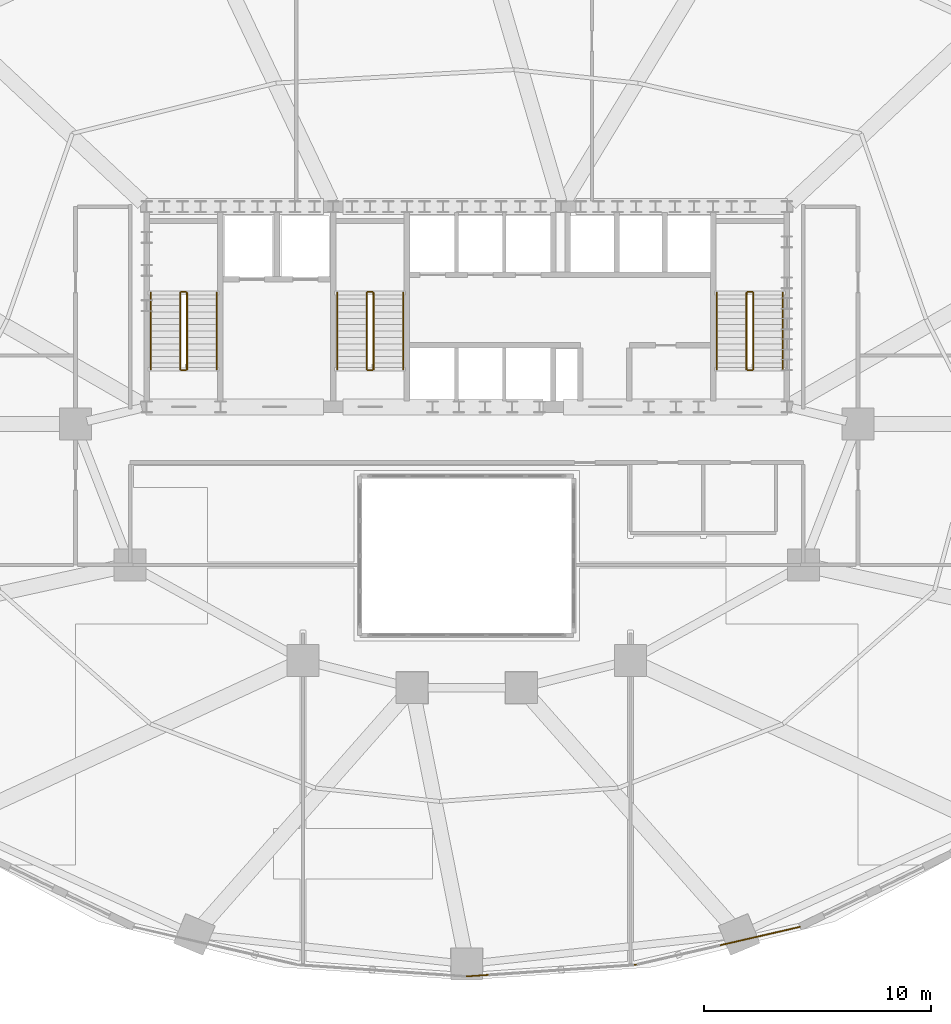
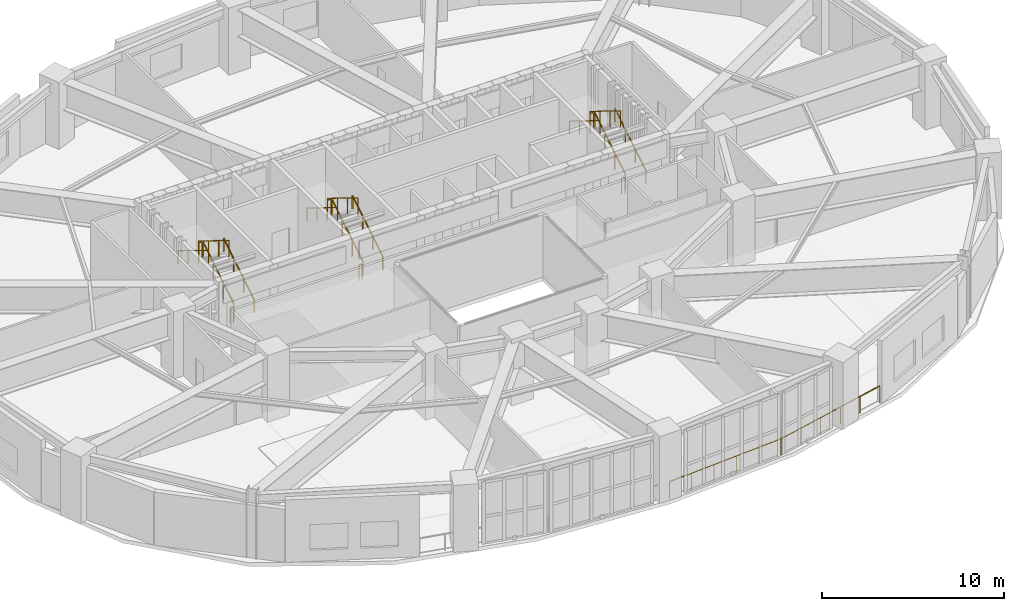
# One storey, part 13 of 13: 20 railings.
"""IFC4 building model written with IfcOpenShell, lengths in metres."""

from ifc_helpers import new_model, si_unit, direction, frame, origin, origin_2d, place, context, subcontext, project, spatial, rectangle, extrude, material, type_object, element, save


model = new_model("IFC4")

# Units and contexts
model_context = context("Model", 3, precision=1e-05, world=origin(), true_north=direction((0.0, 1.0)))
body_context = subcontext(model_context, "Body", "Model", "MODEL_VIEW")
ifc_project = project(units=[si_unit("LENGTHUNIT", "METRE"), si_unit("AREAUNIT", "SQUARE_METRE"), si_unit("VOLUMEUNIT", "CUBIC_METRE"), si_unit("PLANEANGLEUNIT", "RADIAN"), si_unit("MASSUNIT", "GRAM", prefix="KILO")], contexts=[model_context])

# Site, building, storey
site_placement = place(None, origin())
site = spatial("IfcSite", under=ifc_project, at=site_placement, CompositionType="ELEMENT")
building_placement = place(site_placement, origin())
building = spatial("IfcBuilding", under=site, at=building_placement, Name="Haldorwick Loom Tower", CompositionType="ELEMENT")
storey_placement = place(building_placement, frame((0.0, 0.0, 72.300048828125)))
storey = spatial("IfcBuildingStorey", under=building, at=storey_placement, Name="L19", CompositionType="ELEMENT", Elevation=72.300048828125)

# Railings
ifc_material_1 = material(Name="Galvanized Steel CSA G40.21 350W", Category="steel")
railing_type_1 = type_object("IfcRailingType", Name="ARC-RLG-BAL115", PredefinedType="BALUSTRADE", material=ifc_material_1)
railing_1_placement = place(storey_placement, frame((36.0, 1.7099609375, 0.0)))
element("IfcRailing", 1, at=railing_1_placement, inside=storey, type_object=railing_type_1, Name="L19 Curtain-Wall Sill Safety Guardrail 19", PredefinedType="BALUSTRADE", context=body_context, shape_type="SweptSolid", body=[
    extrude(rectangle(XDim=0.048095703125, YDim=0.048095703125, at=origin_2d()), frame((0.0, 0.0, 1.1259765625), z_axis=(0.997645161917, 0.068586667092, 0.0), x_axis=(-0.068586667092, 0.997645161917, 0.0)), (0.0, 0.0, 1.0), 7.428955078125),
    extrude(rectangle(XDim=0.0419921875, YDim=0.0419921875, at=origin_2d()), origin(), (0.0, 0.0, 1.0), 1.101806640625),
    extrude(rectangle(XDim=0.0419921875, YDim=0.0419921875, at=origin_2d()), frame((1.482177734375, 0.101806640625, 0.0)), (0.0, 0.0, 1.0), 1.101806640625),
    extrude(rectangle(XDim=0.0419921875, YDim=0.0419921875, at=origin_2d()), frame((2.964599609375, 0.203857421875, 0.0)), (0.0, 0.0, 1.0), 1.101806640625),
    extrude(rectangle(XDim=0.0419921875, YDim=0.0419921875, at=origin_2d()), frame((4.44677734375, 0.3056640625, 0.0)), (0.0, 0.0, 1.0), 1.101806640625),
    extrude(rectangle(XDim=0.0419921875, YDim=0.0419921875, at=origin_2d()), frame((5.92919921875, 0.40771484375, 0.0)), (0.0, 0.0, 1.0), 1.101806640625),
    extrude(rectangle(XDim=0.0419921875, YDim=0.0419921875, at=origin_2d()), frame((7.411376953125, 0.509521484375, 0.0)), (0.0, 0.0, 1.0), 1.101806640625),
])
railing_2_placement = place(storey_placement, frame((43.411376953125, 2.219482421875, 0.0)))
element("IfcRailing", 2, at=railing_2_placement, inside=storey, type_object=railing_type_1, Name="L19 Curtain-Wall Sill Safety Guardrail 20", PredefinedType="BALUSTRADE", context=body_context, shape_type="SweptSolid", body=[
    extrude(rectangle(XDim=0.048095703125, YDim=0.048095703125, at=origin_2d()), frame((0.0, 0.0, 1.1259765625), z_axis=(0.974522412345, 0.224290142088, 0.0), x_axis=(-0.224290142088, 0.974522412345, 0.0)), (0.0, 0.0, 1.0), 7.422607421875),
    extrude(rectangle(XDim=0.0419921875, YDim=0.0419921875, at=origin_2d()), origin(), (0.0, 0.0, 1.0), 1.101806640625),
    extrude(rectangle(XDim=0.0419921875, YDim=0.0419921875, at=origin_2d()), frame((1.44677734375, 0.3330078125, 0.0)), (0.0, 0.0, 1.0), 1.101806640625),
    extrude(rectangle(XDim=0.0419921875, YDim=0.0419921875, at=origin_2d()), frame((2.893310546875, 0.666015625, 0.0)), (0.0, 0.0, 1.0), 1.101806640625),
    extrude(rectangle(XDim=0.0419921875, YDim=0.0419921875, at=origin_2d()), frame((4.340087890625, 0.998779296875, 0.0)), (0.0, 0.0, 1.0), 1.101806640625),
    extrude(rectangle(XDim=0.0419921875, YDim=0.0419921875, at=origin_2d()), frame((5.78662109375, 1.331787109375, 0.0)), (0.0, 0.0, 1.0), 1.101806640625),
    extrude(rectangle(XDim=0.0419921875, YDim=0.0419921875, at=origin_2d()), frame((7.2333984375, 1.664794921875, 0.0)), (0.0, 0.0, 1.0), 1.101806640625),
])
ifc_material_2 = material(Name="Steel CSA G40.21 350W", Category="steel")
railing_type_2 = type_object("IfcRailingType", Name="ARC-RLG-GUARD112", PredefinedType="GUARDRAIL", material=ifc_material_2)
railing_3_placement = place(storey_placement, frame((23.699951171875, 28.39990234375, 0.173095703125)))
element("IfcRailing", 3, at=railing_3_placement, inside=storey, type_object=railing_type_2, Name="L19 ST-01 stair guard 1", PredefinedType="GUARDRAIL", context=body_context, shape_type="SweptSolid", body=[
    extrude(rectangle(XDim=0.048095703125, YDim=0.048095703125, at=origin_2d()), frame((0.0, 0.0, 1.076171875), z_axis=(0.0, 0.850623216509, 0.525775754039), x_axis=(-1.0, 0.0, 0.0)), (0.0, 0.0, 1.0), 3.9501953125),
    extrude(rectangle(XDim=0.0419921875, YDim=0.0419921875, at=origin_2d()), origin(), (0.0, 0.0, 1.0), 1.052001953125),
    extrude(rectangle(XDim=0.0419921875, YDim=0.0419921875, at=origin_2d()), frame((0.0, 1.1201171875, 0.6923828125)), (0.0, 0.0, 1.0), 1.052001953125),
    extrude(rectangle(XDim=0.0419921875, YDim=0.0419921875, at=origin_2d()), frame((0.0, 2.239990234375, 1.384521484375)), (0.0, 0.0, 1.0), 1.052001953125),
    extrude(rectangle(XDim=0.0419921875, YDim=0.0419921875, at=origin_2d()), frame((0.0, 3.360107421875, 2.076904296875)), (0.0, 0.0, 1.0), 1.052001953125),
])
railing_4_placement = place(storey_placement, frame((23.64990234375, 31.81005859375, 2.25)))
element("IfcRailing", 4, at=railing_4_placement, inside=storey, type_object=railing_type_2, Name="L19 ST-01 stair guard 2", PredefinedType="GUARDRAIL", context=body_context, shape_type="SweptSolid", body=[
    extrude(rectangle(XDim=0.048095703125, YDim=0.048095703125, at=origin_2d()), frame((0.0, 0.0, 1.076171875), z_axis=(-1.0, 0.0, 0.0), x_axis=(0.0, -1.0, 0.0)), (0.0, 0.0, 1.0), 0.199951171875),
    extrude(rectangle(XDim=0.0419921875, YDim=0.0419921875, at=origin_2d()), origin(), (0.0, 0.0, 1.0), 1.052001953125),
    extrude(rectangle(XDim=0.0419921875, YDim=0.0419921875, at=origin_2d()), frame((-0.199951171875, 0.0, 0.0)), (0.0, 0.0, 1.0), 1.052001953125),
])
railing_5_placement = place(storey_placement, frame((23.39990234375, 31.760009765625, 2.423095703125)))
element("IfcRailing", 5, at=railing_5_placement, inside=storey, type_object=railing_type_2, Name="L19 ST-01 stair guard 3", PredefinedType="GUARDRAIL", context=body_context, shape_type="SweptSolid", body=[
    extrude(rectangle(XDim=0.048095703125, YDim=0.048095703125, at=origin_2d()), frame((0.0, 0.0, 1.076171875), z_axis=(0.0, -0.850623216509, 0.525775754039), x_axis=(1.0, 0.0, 0.0)), (0.0, 0.0, 1.0), 3.9501953125),
    extrude(rectangle(XDim=0.0419921875, YDim=0.0419921875, at=origin_2d()), origin(), (0.0, 0.0, 1.0), 1.052001953125),
    extrude(rectangle(XDim=0.0419921875, YDim=0.0419921875, at=origin_2d()), frame((0.0, -1.1201171875, 0.6923828125)), (0.0, 0.0, 1.0), 1.052001953125),
    extrude(rectangle(XDim=0.0419921875, YDim=0.0419921875, at=origin_2d()), frame((0.0, -2.239990234375, 1.384521484375)), (0.0, 0.0, 1.0), 1.052001953125),
    extrude(rectangle(XDim=0.0419921875, YDim=0.0419921875, at=origin_2d()), frame((0.0, -3.360107421875, 2.076904296875)), (0.0, 0.0, 1.0), 1.052001953125),
])
railing_6_placement = place(storey_placement, frame((23.64990234375, 28.35009765625, 0.0)))
element("IfcRailing", 6, at=railing_6_placement, inside=storey, type_object=railing_type_2, Name="L19 ST-01 stair guard 4", PredefinedType="GUARDRAIL", context=body_context, shape_type="SweptSolid", body=[
    extrude(rectangle(XDim=0.048095703125, YDim=0.048095703125, at=origin_2d()), frame((0.0, 0.0, 1.076171875), z_axis=(-1.0, 0.0, 0.0), x_axis=(0.0, -1.0, 0.0)), (0.0, 0.0, 1.0), 0.199951171875),
    extrude(rectangle(XDim=0.0419921875, YDim=0.0419921875, at=origin_2d()), origin(), (0.0, 0.0, 1.0), 1.052001953125),
    extrude(rectangle(XDim=0.0419921875, YDim=0.0419921875, at=origin_2d()), frame((-0.199951171875, 0.0, 0.0)), (0.0, 0.0, 1.0), 1.052001953125),
])
railing_7_placement = place(storey_placement, frame((48.60009765625, 28.39990234375, 0.173095703125)))
element("IfcRailing", 7, at=railing_7_placement, inside=storey, type_object=railing_type_2, Name="L19 ST-02 stair guard 1", PredefinedType="GUARDRAIL", context=body_context, shape_type="SweptSolid", body=[
    extrude(rectangle(XDim=0.048095703125, YDim=0.048095703125, at=origin_2d()), frame((0.0, 0.0, 1.076171875), z_axis=(0.0, 0.850623216509, 0.525775754039), x_axis=(-1.0, 0.0, 0.0)), (0.0, 0.0, 1.0), 3.9501953125),
    extrude(rectangle(XDim=0.0419921875, YDim=0.0419921875, at=origin_2d()), origin(), (0.0, 0.0, 1.0), 1.052001953125),
    extrude(rectangle(XDim=0.0419921875, YDim=0.0419921875, at=origin_2d()), frame((0.0, 1.1201171875, 0.6923828125)), (0.0, 0.0, 1.0), 1.052001953125),
    extrude(rectangle(XDim=0.0419921875, YDim=0.0419921875, at=origin_2d()), frame((0.0, 2.239990234375, 1.384521484375)), (0.0, 0.0, 1.0), 1.052001953125),
    extrude(rectangle(XDim=0.0419921875, YDim=0.0419921875, at=origin_2d()), frame((0.0, 3.360107421875, 2.076904296875)), (0.0, 0.0, 1.0), 1.052001953125),
])
railing_8_placement = place(storey_placement, frame((48.550048828125, 31.81005859375, 2.25)))
element("IfcRailing", 8, at=railing_8_placement, inside=storey, type_object=railing_type_2, Name="L19 ST-02 stair guard 2", PredefinedType="GUARDRAIL", context=body_context, shape_type="SweptSolid", body=[
    extrude(rectangle(XDim=0.048095703125, YDim=0.048095703125, at=origin_2d()), frame((0.0, 0.0, 1.076171875), z_axis=(-1.0, 0.0, 0.0), x_axis=(0.0, -1.0, 0.0)), (0.0, 0.0, 1.0), 0.199951171875),
    extrude(rectangle(XDim=0.0419921875, YDim=0.0419921875, at=origin_2d()), origin(), (0.0, 0.0, 1.0), 1.052001953125),
    extrude(rectangle(XDim=0.0419921875, YDim=0.0419921875, at=origin_2d()), frame((-0.199951171875, 0.0, 0.0)), (0.0, 0.0, 1.0), 1.052001953125),
])
railing_9_placement = place(storey_placement, frame((48.300048828125, 31.760009765625, 2.423095703125)))
element("IfcRailing", 9, at=railing_9_placement, inside=storey, type_object=railing_type_2, Name="L19 ST-02 stair guard 3", PredefinedType="GUARDRAIL", context=body_context, shape_type="SweptSolid", body=[
    extrude(rectangle(XDim=0.048095703125, YDim=0.048095703125, at=origin_2d()), frame((0.0, 0.0, 1.076171875), z_axis=(0.0, -0.850623216509, 0.525775754039), x_axis=(1.0, 0.0, 0.0)), (0.0, 0.0, 1.0), 3.9501953125),
    extrude(rectangle(XDim=0.0419921875, YDim=0.0419921875, at=origin_2d()), origin(), (0.0, 0.0, 1.0), 1.052001953125),
    extrude(rectangle(XDim=0.0419921875, YDim=0.0419921875, at=origin_2d()), frame((0.0, -1.1201171875, 0.6923828125)), (0.0, 0.0, 1.0), 1.052001953125),
    extrude(rectangle(XDim=0.0419921875, YDim=0.0419921875, at=origin_2d()), frame((0.0, -2.239990234375, 1.384521484375)), (0.0, 0.0, 1.0), 1.052001953125),
    extrude(rectangle(XDim=0.0419921875, YDim=0.0419921875, at=origin_2d()), frame((0.0, -3.360107421875, 2.076904296875)), (0.0, 0.0, 1.0), 1.052001953125),
])
railing_10_placement = place(storey_placement, frame((48.550048828125, 28.35009765625, 0.0)))
element("IfcRailing", 10, at=railing_10_placement, inside=storey, type_object=railing_type_2, Name="L19 ST-02 stair guard 4", PredefinedType="GUARDRAIL", context=body_context, shape_type="SweptSolid", body=[
    extrude(rectangle(XDim=0.048095703125, YDim=0.048095703125, at=origin_2d()), frame((0.0, 0.0, 1.076171875), z_axis=(-1.0, 0.0, 0.0), x_axis=(0.0, -1.0, 0.0)), (0.0, 0.0, 1.0), 0.199951171875),
    extrude(rectangle(XDim=0.0419921875, YDim=0.0419921875, at=origin_2d()), origin(), (0.0, 0.0, 1.0), 1.052001953125),
    extrude(rectangle(XDim=0.0419921875, YDim=0.0419921875, at=origin_2d()), frame((-0.199951171875, 0.0, 0.0)), (0.0, 0.0, 1.0), 1.052001953125),
])
railing_11_placement = place(storey_placement, frame((31.89990234375, 28.39990234375, 0.173095703125)))
element("IfcRailing", 11, at=railing_11_placement, inside=storey, type_object=railing_type_2, Name="L19 ST-03 stair guard 1", PredefinedType="GUARDRAIL", context=body_context, shape_type="SweptSolid", body=[
    extrude(rectangle(XDim=0.048095703125, YDim=0.048095703125, at=origin_2d()), frame((0.0, 0.0, 1.076171875), z_axis=(0.0, 0.850623216509, 0.525775754039), x_axis=(-1.0, 0.0, 0.0)), (0.0, 0.0, 1.0), 3.9501953125),
    extrude(rectangle(XDim=0.0419921875, YDim=0.0419921875, at=origin_2d()), origin(), (0.0, 0.0, 1.0), 1.052001953125),
    extrude(rectangle(XDim=0.0419921875, YDim=0.0419921875, at=origin_2d()), frame((0.0, 1.1201171875, 0.6923828125)), (0.0, 0.0, 1.0), 1.052001953125),
    extrude(rectangle(XDim=0.0419921875, YDim=0.0419921875, at=origin_2d()), frame((0.0, 2.239990234375, 1.384521484375)), (0.0, 0.0, 1.0), 1.052001953125),
    extrude(rectangle(XDim=0.0419921875, YDim=0.0419921875, at=origin_2d()), frame((0.0, 3.360107421875, 2.076904296875)), (0.0, 0.0, 1.0), 1.052001953125),
])
railing_12_placement = place(storey_placement, frame((31.85009765625, 31.81005859375, 2.25)))
element("IfcRailing", 12, at=railing_12_placement, inside=storey, type_object=railing_type_2, Name="L19 ST-03 stair guard 2", PredefinedType="GUARDRAIL", context=body_context, shape_type="SweptSolid", body=[
    extrude(rectangle(XDim=0.048095703125, YDim=0.048095703125, at=origin_2d()), frame((0.0, 0.0, 1.076171875), z_axis=(-1.0, 0.0, 0.0), x_axis=(0.0, -1.0, 0.0)), (0.0, 0.0, 1.0), 0.2001953125),
    extrude(rectangle(XDim=0.0419921875, YDim=0.0419921875, at=origin_2d()), origin(), (0.0, 0.0, 1.0), 1.052001953125),
    extrude(rectangle(XDim=0.0419921875, YDim=0.0419921875, at=origin_2d()), frame((-0.2001953125, 0.0, 0.0)), (0.0, 0.0, 1.0), 1.052001953125),
])
railing_13_placement = place(storey_placement, frame((31.60009765625, 31.760009765625, 2.423095703125)))
element("IfcRailing", 13, at=railing_13_placement, inside=storey, type_object=railing_type_2, Name="L19 ST-03 stair guard 3", PredefinedType="GUARDRAIL", context=body_context, shape_type="SweptSolid", body=[
    extrude(rectangle(XDim=0.048095703125, YDim=0.048095703125, at=origin_2d()), frame((0.0, 0.0, 1.076171875), z_axis=(0.0, -0.850623216509, 0.525775754039), x_axis=(1.0, 0.0, 0.0)), (0.0, 0.0, 1.0), 3.9501953125),
    extrude(rectangle(XDim=0.0419921875, YDim=0.0419921875, at=origin_2d()), origin(), (0.0, 0.0, 1.0), 1.052001953125),
    extrude(rectangle(XDim=0.0419921875, YDim=0.0419921875, at=origin_2d()), frame((0.0, -1.1201171875, 0.6923828125)), (0.0, 0.0, 1.0), 1.052001953125),
    extrude(rectangle(XDim=0.0419921875, YDim=0.0419921875, at=origin_2d()), frame((0.0, -2.239990234375, 1.384521484375)), (0.0, 0.0, 1.0), 1.052001953125),
    extrude(rectangle(XDim=0.0419921875, YDim=0.0419921875, at=origin_2d()), frame((0.0, -3.360107421875, 2.076904296875)), (0.0, 0.0, 1.0), 1.052001953125),
])
railing_14_placement = place(storey_placement, frame((31.85009765625, 28.35009765625, 0.0)))
element("IfcRailing", 14, at=railing_14_placement, inside=storey, type_object=railing_type_2, Name="L19 ST-03 stair guard 4", PredefinedType="GUARDRAIL", context=body_context, shape_type="SweptSolid", body=[
    extrude(rectangle(XDim=0.048095703125, YDim=0.048095703125, at=origin_2d()), frame((0.0, 0.0, 1.076171875), z_axis=(-1.0, 0.0, 0.0), x_axis=(0.0, -1.0, 0.0)), (0.0, 0.0, 1.0), 0.2001953125),
    extrude(rectangle(XDim=0.0419921875, YDim=0.0419921875, at=origin_2d()), origin(), (0.0, 0.0, 1.0), 1.052001953125),
    extrude(rectangle(XDim=0.0419921875, YDim=0.0419921875, at=origin_2d()), frame((-0.2001953125, 0.0, 0.0)), (0.0, 0.0, 1.0), 1.052001953125),
])
railing_type_3 = type_object("IfcRailingType", Name="ARC-RLG-HAND092", PredefinedType="HANDRAIL", material=ifc_material_2)
railing_15_placement = place(storey_placement, frame((25.0, 28.39990234375, 0.173095703125)))
element("IfcRailing", 15, at=railing_15_placement, inside=storey, type_object=railing_type_3, Name="L19 ST-01 stair handrail 1", PredefinedType="HANDRAIL", context=body_context, shape_type="SweptSolid", body=[
    extrude(rectangle(XDim=0.048095703125, YDim=0.048095703125, at=origin_2d()), frame((0.0, 0.0, 0.8759765625), z_axis=(0.0, 0.850623216509, 0.525775754039), x_axis=(-1.0, 0.0, 0.0)), (0.0, 0.0, 1.0), 3.9501953125),
    extrude(rectangle(XDim=0.0419921875, YDim=0.0419921875, at=origin_2d()), origin(), (0.0, 0.0, 1.0), 0.851806640625),
    extrude(rectangle(XDim=0.0419921875, YDim=0.0419921875, at=origin_2d()), frame((0.0, 1.1201171875, 0.6923828125)), (0.0, 0.0, 1.0), 0.851806640625),
    extrude(rectangle(XDim=0.0419921875, YDim=0.0419921875, at=origin_2d()), frame((0.0, 2.239990234375, 1.384521484375)), (0.0, 0.0, 1.0), 0.851806640625),
    extrude(rectangle(XDim=0.0419921875, YDim=0.0419921875, at=origin_2d()), frame((0.0, 3.360107421875, 2.076904296875)), (0.0, 0.0, 1.0), 0.851806640625),
])
railing_16_placement = place(storey_placement, frame((22.10009765625, 31.760009765625, 2.423095703125)))
element("IfcRailing", 16, at=railing_16_placement, inside=storey, type_object=railing_type_3, Name="L19 ST-01 stair handrail 2", PredefinedType="HANDRAIL", context=body_context, shape_type="SweptSolid", body=[
    extrude(rectangle(XDim=0.048095703125, YDim=0.048095703125, at=origin_2d()), frame((0.0, 0.0, 0.8759765625), z_axis=(0.0, -0.850623216509, 0.525775754039), x_axis=(1.0, 0.0, 0.0)), (0.0, 0.0, 1.0), 3.9501953125),
    extrude(rectangle(XDim=0.0419921875, YDim=0.0419921875, at=origin_2d()), origin(), (0.0, 0.0, 1.0), 0.851806640625),
    extrude(rectangle(XDim=0.0419921875, YDim=0.0419921875, at=origin_2d()), frame((0.0, -1.1201171875, 0.6923828125)), (0.0, 0.0, 1.0), 0.851806640625),
    extrude(rectangle(XDim=0.0419921875, YDim=0.0419921875, at=origin_2d()), frame((0.0, -2.239990234375, 1.384521484375)), (0.0, 0.0, 1.0), 0.851806640625),
    extrude(rectangle(XDim=0.0419921875, YDim=0.0419921875, at=origin_2d()), frame((0.0, -3.360107421875, 2.076904296875)), (0.0, 0.0, 1.0), 0.851806640625),
])
railing_17_placement = place(storey_placement, frame((49.89990234375, 28.39990234375, 0.173095703125)))
element("IfcRailing", 17, at=railing_17_placement, inside=storey, type_object=railing_type_3, Name="L19 ST-02 stair handrail 1", PredefinedType="HANDRAIL", context=body_context, shape_type="SweptSolid", body=[
    extrude(rectangle(XDim=0.048095703125, YDim=0.048095703125, at=origin_2d()), frame((0.0, 0.0, 0.8759765625), z_axis=(0.0, 0.850623216509, 0.525775754039), x_axis=(-1.0, 0.0, 0.0)), (0.0, 0.0, 1.0), 3.9501953125),
    extrude(rectangle(XDim=0.0419921875, YDim=0.0419921875, at=origin_2d()), origin(), (0.0, 0.0, 1.0), 0.851806640625),
    extrude(rectangle(XDim=0.0419921875, YDim=0.0419921875, at=origin_2d()), frame((0.0, 1.1201171875, 0.6923828125)), (0.0, 0.0, 1.0), 0.851806640625),
    extrude(rectangle(XDim=0.0419921875, YDim=0.0419921875, at=origin_2d()), frame((0.0, 2.239990234375, 1.384521484375)), (0.0, 0.0, 1.0), 0.851806640625),
    extrude(rectangle(XDim=0.0419921875, YDim=0.0419921875, at=origin_2d()), frame((0.0, 3.360107421875, 2.076904296875)), (0.0, 0.0, 1.0), 0.851806640625),
])
railing_18_placement = place(storey_placement, frame((47.0, 31.760009765625, 2.423095703125)))
element("IfcRailing", 18, at=railing_18_placement, inside=storey, type_object=railing_type_3, Name="L19 ST-02 stair handrail 2", PredefinedType="HANDRAIL", context=body_context, shape_type="SweptSolid", body=[
    extrude(rectangle(XDim=0.048095703125, YDim=0.048095703125, at=origin_2d()), frame((0.0, 0.0, 0.8759765625), z_axis=(0.0, -0.850623216509, 0.525775754039), x_axis=(1.0, 0.0, 0.0)), (0.0, 0.0, 1.0), 3.9501953125),
    extrude(rectangle(XDim=0.0419921875, YDim=0.0419921875, at=origin_2d()), origin(), (0.0, 0.0, 1.0), 0.851806640625),
    extrude(rectangle(XDim=0.0419921875, YDim=0.0419921875, at=origin_2d()), frame((0.0, -1.1201171875, 0.6923828125)), (0.0, 0.0, 1.0), 0.851806640625),
    extrude(rectangle(XDim=0.0419921875, YDim=0.0419921875, at=origin_2d()), frame((0.0, -2.239990234375, 1.384521484375)), (0.0, 0.0, 1.0), 0.851806640625),
    extrude(rectangle(XDim=0.0419921875, YDim=0.0419921875, at=origin_2d()), frame((0.0, -3.360107421875, 2.076904296875)), (0.0, 0.0, 1.0), 0.851806640625),
])
railing_19_placement = place(storey_placement, frame((33.199951171875, 28.39990234375, 0.173095703125)))
element("IfcRailing", 19, at=railing_19_placement, inside=storey, type_object=railing_type_3, Name="L19 ST-03 stair handrail 1", PredefinedType="HANDRAIL", context=body_context, shape_type="SweptSolid", body=[
    extrude(rectangle(XDim=0.048095703125, YDim=0.048095703125, at=origin_2d()), frame((0.0, 0.0, 0.8759765625), z_axis=(0.0, 0.850623216509, 0.525775754039), x_axis=(-1.0, 0.0, 0.0)), (0.0, 0.0, 1.0), 3.9501953125),
    extrude(rectangle(XDim=0.0419921875, YDim=0.0419921875, at=origin_2d()), origin(), (0.0, 0.0, 1.0), 0.851806640625),
    extrude(rectangle(XDim=0.0419921875, YDim=0.0419921875, at=origin_2d()), frame((0.0, 1.1201171875, 0.6923828125)), (0.0, 0.0, 1.0), 0.851806640625),
    extrude(rectangle(XDim=0.0419921875, YDim=0.0419921875, at=origin_2d()), frame((0.0, 2.239990234375, 1.384521484375)), (0.0, 0.0, 1.0), 0.851806640625),
    extrude(rectangle(XDim=0.0419921875, YDim=0.0419921875, at=origin_2d()), frame((0.0, 3.360107421875, 2.076904296875)), (0.0, 0.0, 1.0), 0.851806640625),
])
railing_20_placement = place(storey_placement, frame((30.300048828125, 31.760009765625, 2.423095703125)))
element("IfcRailing", 20, at=railing_20_placement, inside=storey, type_object=railing_type_3, Name="L19 ST-03 stair handrail 2", PredefinedType="HANDRAIL", context=body_context, shape_type="SweptSolid", body=[
    extrude(rectangle(XDim=0.048095703125, YDim=0.048095703125, at=origin_2d()), frame((0.0, 0.0, 0.8759765625), z_axis=(0.0, -0.850623216509, 0.525775754039), x_axis=(1.0, 0.0, 0.0)), (0.0, 0.0, 1.0), 3.9501953125),
    extrude(rectangle(XDim=0.0419921875, YDim=0.0419921875, at=origin_2d()), origin(), (0.0, 0.0, 1.0), 0.851806640625),
    extrude(rectangle(XDim=0.0419921875, YDim=0.0419921875, at=origin_2d()), frame((0.0, -1.1201171875, 0.6923828125)), (0.0, 0.0, 1.0), 0.851806640625),
    extrude(rectangle(XDim=0.0419921875, YDim=0.0419921875, at=origin_2d()), frame((0.0, -2.239990234375, 1.384521484375)), (0.0, 0.0, 1.0), 0.851806640625),
    extrude(rectangle(XDim=0.0419921875, YDim=0.0419921875, at=origin_2d()), frame((0.0, -3.360107421875, 2.076904296875)), (0.0, 0.0, 1.0), 0.851806640625),
])

save(model, "model.ifc")
